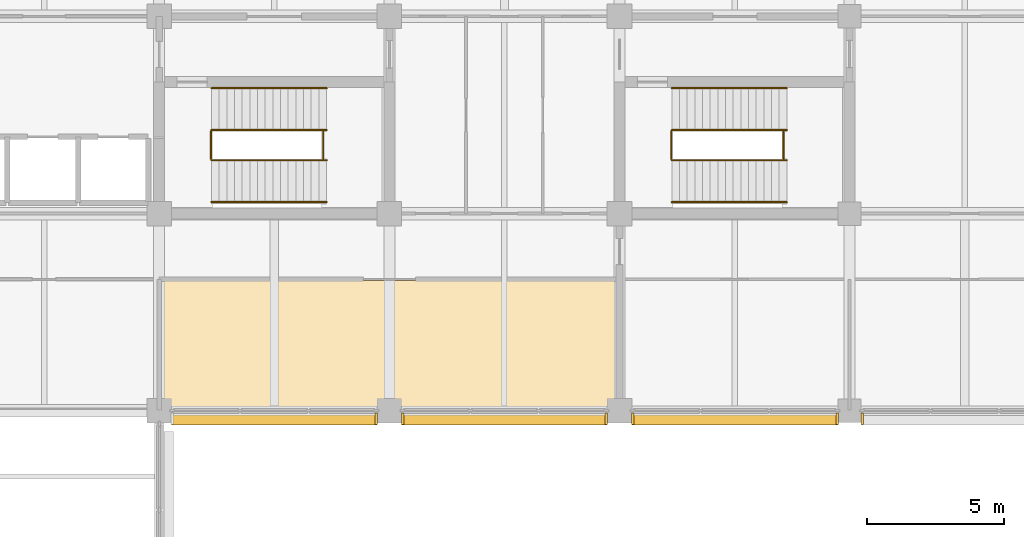
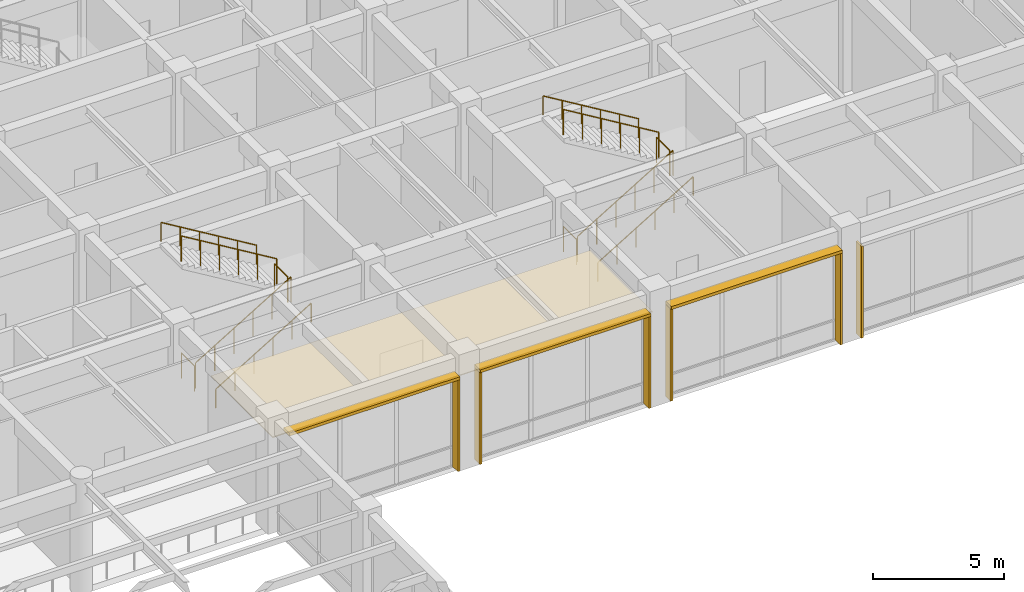
# One storey, part 54 of 58: 12 railings, 9 shading devices, 1 covering.
"""IFC4 building model written with IfcOpenShell, lengths in metres."""

from ifc_helpers import new_model, si_unit, direction, frame, origin, origin_2d, place, context, subcontext, project, spatial, polyline, rectangle, circle, outline, extrude, material, layer, layer_set, type_object, element, save


model = new_model("IFC4")

# Units and contexts
model_context = context("Model", 3, precision=1e-05, world=origin(), true_north=direction((0.0, 1.0)))
body_context = subcontext(model_context, "Body", "Model", "MODEL_VIEW")
ifc_project = project(units=[si_unit("LENGTHUNIT", "METRE"), si_unit("AREAUNIT", "SQUARE_METRE"), si_unit("VOLUMEUNIT", "CUBIC_METRE"), si_unit("PLANEANGLEUNIT", "RADIAN"), si_unit("MASSUNIT", "GRAM", prefix="KILO")], contexts=[model_context])

# Site, building, storey
site_placement = place(None, origin())
site = spatial("IfcSite", under=ifc_project, at=site_placement, CompositionType="ELEMENT")
building_placement = place(site_placement, origin())
building = spatial("IfcBuilding", under=site, at=building_placement, Name="Chengyuan Square Courthouse", CompositionType="ELEMENT")
storey_placement = place(building_placement, frame((0.0, 0.0, 16.199951171875)))
storey = spatial("IfcBuildingStorey", under=building, at=storey_placement, Name="L04", CompositionType="ELEMENT", Elevation=16.199951171875)

# Covering
ifc_material_1 = material(Name="Perforated Larch Glulam Acoustic Slat Ceiling", Category="wood")
ifc_layer = layer(ifc_material_1, 0.044921875)
ifc_layer_set = layer_set([ifc_layer], Name="Perforated Larch Glulam Acoustic Slat Ceiling")
covering_type = type_object("IfcCoveringType", Name="CLG-01", PredefinedType="CEILING", material=ifc_layer_set)
covering_placement = place(storey_placement, frame((0.0, 0.0, 4.02001953125)))
element("IfcCovering", 1, at=covering_placement, inside=storey, type_object=covering_type, Name="Acoustic Timber Slat Ceiling CLG-L04-CRT-406", PredefinedType="CEILING", context=body_context, shape_type="SweptSolid", body=[
    extrude(outline(polyline([(100.85009765625, 79.25), (117.550048828125, 79.25), (117.550048828125, 83.949951171875), (100.85009765625, 83.949951171875), (100.85009765625, 79.25)])), origin(), (0.0, 0.0, 1.0), 0.044921875),
])

# Railings
ifc_material_2 = material(Name="Tempered Glass and Timber Top-Rail Balustrade", Category="wood")
railing_type_1 = type_object("IfcRailingType", Name="RL-02", PredefinedType="BALUSTRADE", material=ifc_material_2)
for number, where, name in (
    (2, (102.68994140625, 88.39990234375, 0.0), "Stair Floor Slot Guard ST-4 L04"),
    (3, (106.7900390625, 88.39990234375, 2.699951171875), "Stair Landing Guard ST-4-L04"),
):
    element("IfcRailing", number, at=place(storey_placement, frame(where)), inside=storey, type_object=railing_type_1, Name=name, PredefinedType="BALUSTRADE", context=body_context, shape_type="SweptSolid", body=[
        extrude(circle(Radius=0.02392578125, at=origin_2d()), frame((0.0, 0.0, 1.17578125), z_axis=(0.0, 1.0, 0.0), x_axis=(-1.0, 0.0, 0.0)), (0.0, 0.0, 1.0), 1.0),
        extrude(circle(Radius=0.02099609375, at=origin_2d()), origin(), (0.0, 0.0, 1.0), 1.15185546875),
        extrude(circle(Radius=0.02099609375, at=origin_2d()), frame((0.0, 1.0, 0.0)), (0.0, 0.0, 1.0), 1.15185546875),
    ])
railing_1_placement = place(storey_placement, frame((102.7099609375, 88.35009765625, 0.168701171875)))
element("IfcRailing", 4, at=railing_1_placement, inside=storey, type_object=railing_type_1, Name="Stair Flight 1 Guard ST-4-L04", PredefinedType="BALUSTRADE", context=body_context, shape_type="SweptSolid", body=[
    extrude(circle(Radius=0.02392578125, at=origin_2d()), frame((0.0, 0.0, 1.17578125), z_axis=(0.856476492594, 0.0, 0.516186030065), x_axis=(0.0, 1.0, 0.0)), (0.0, 0.0, 1.0), 4.90380859375),
    extrude(circle(Radius=0.02099609375, at=origin_2d()), origin(), (0.0, 0.0, 1.0), 1.15185546875),
    extrude(circle(Radius=0.02099609375, at=origin_2d()), frame((0.840087890625, 0.0, 0.50634765625)), (0.0, 0.0, 1.0), 1.15185546875),
    extrude(circle(Radius=0.02099609375, at=origin_2d()), frame((1.679931640625, 0.0, 1.012451171875)), (0.0, 0.0, 1.0), 1.15185546875),
    extrude(circle(Radius=0.02099609375, at=origin_2d()), frame((2.52001953125, 0.0, 1.518798828125)), (0.0, 0.0, 1.0), 1.15185546875),
    extrude(circle(Radius=0.02099609375, at=origin_2d()), frame((3.35986328125, 0.0, 2.02490234375)), (0.0, 0.0, 1.0), 1.15185546875),
    extrude(circle(Radius=0.02099609375, at=origin_2d()), frame((4.199951171875, 0.0, 2.53125)), (0.0, 0.0, 1.0), 1.15185546875),
])
railing_2_placement = place(storey_placement, frame((106.909912109375, 89.449951171875, 2.86865234375)))
element("IfcRailing", 5, at=railing_2_placement, inside=storey, type_object=railing_type_1, Name="Stair Flight 2 Guard ST-4-L04", PredefinedType="BALUSTRADE", context=body_context, shape_type="SweptSolid", body=[
    extrude(circle(Radius=0.02392578125, at=origin_2d()), frame((0.0, 0.0, 1.17578125), z_axis=(-0.856454481726, 0.0, 0.516222549615), x_axis=(0.0, -1.0, 0.0)), (0.0, 0.0, 1.0), 4.90380859375),
    extrude(circle(Radius=0.02099609375, at=origin_2d()), origin(), (0.0, 0.0, 1.0), 1.15185546875),
    extrude(circle(Radius=0.02099609375, at=origin_2d()), frame((-0.840087890625, 0.0, 0.50634765625)), (0.0, 0.0, 1.0), 1.15185546875),
    extrude(circle(Radius=0.02099609375, at=origin_2d()), frame((-1.679931640625, 0.0, 1.0126953125)), (0.0, 0.0, 1.0), 1.15185546875),
    extrude(circle(Radius=0.02099609375, at=origin_2d()), frame((-2.52001953125, 0.0, 1.518798828125)), (0.0, 0.0, 1.0), 1.15185546875),
    extrude(circle(Radius=0.02099609375, at=origin_2d()), frame((-3.35986328125, 0.0, 2.025146484375)), (0.0, 0.0, 1.0), 1.15185546875),
    extrude(circle(Radius=0.02099609375, at=origin_2d()), frame((-4.199951171875, 0.0, 2.531494140625)), (0.0, 0.0, 1.0), 1.15185546875),
])
for number, where, name in (
    (6, (119.489990234375, 88.39990234375, 0.0), "Stair Floor Slot Guard ST-6 L04"),
    (7, (123.590087890625, 88.39990234375, 2.699951171875), "Stair Landing Guard ST-6-L04"),
):
    element("IfcRailing", number, at=place(storey_placement, frame(where)), inside=storey, type_object=railing_type_1, Name=name, PredefinedType="BALUSTRADE", context=body_context, shape_type="SweptSolid", body=[
        extrude(circle(Radius=0.02392578125, at=origin_2d()), frame((0.0, 0.0, 1.17578125), z_axis=(0.0, 1.0, 0.0), x_axis=(-1.0, 0.0, 0.0)), (0.0, 0.0, 1.0), 1.0),
        extrude(circle(Radius=0.02099609375, at=origin_2d()), origin(), (0.0, 0.0, 1.0), 1.15185546875),
        extrude(circle(Radius=0.02099609375, at=origin_2d()), frame((0.0, 1.0, 0.0)), (0.0, 0.0, 1.0), 1.15185546875),
    ])
railing_3_placement = place(storey_placement, frame((119.510009765625, 88.35009765625, 0.168701171875)))
element("IfcRailing", 8, at=railing_3_placement, inside=storey, type_object=railing_type_1, Name="Stair Flight 1 Guard ST-6-L04", PredefinedType="BALUSTRADE", context=body_context, shape_type="SweptSolid", body=[
    extrude(circle(Radius=0.02392578125, at=origin_2d()), frame((0.0, 0.0, 1.17578125), z_axis=(0.856476492594, 0.0, 0.516186030065), x_axis=(0.0, 1.0, 0.0)), (0.0, 0.0, 1.0), 4.90380859375),
    extrude(circle(Radius=0.02099609375, at=origin_2d()), origin(), (0.0, 0.0, 1.0), 1.15185546875),
    extrude(circle(Radius=0.02099609375, at=origin_2d()), frame((0.840087890625, 0.0, 0.50634765625)), (0.0, 0.0, 1.0), 1.15185546875),
    extrude(circle(Radius=0.02099609375, at=origin_2d()), frame((1.679931640625, 0.0, 1.012451171875)), (0.0, 0.0, 1.0), 1.15185546875),
    extrude(circle(Radius=0.02099609375, at=origin_2d()), frame((2.52001953125, 0.0, 1.518798828125)), (0.0, 0.0, 1.0), 1.15185546875),
    extrude(circle(Radius=0.02099609375, at=origin_2d()), frame((3.35986328125, 0.0, 2.02490234375)), (0.0, 0.0, 1.0), 1.15185546875),
    extrude(circle(Radius=0.02099609375, at=origin_2d()), frame((4.199951171875, 0.0, 2.53125)), (0.0, 0.0, 1.0), 1.15185546875),
])
railing_4_placement = place(storey_placement, frame((123.7099609375, 89.449951171875, 2.86865234375)))
element("IfcRailing", 9, at=railing_4_placement, inside=storey, type_object=railing_type_1, Name="Stair Flight 2 Guard ST-6-L04", PredefinedType="BALUSTRADE", context=body_context, shape_type="SweptSolid", body=[
    extrude(circle(Radius=0.02392578125, at=origin_2d()), frame((0.0, 0.0, 1.17578125), z_axis=(-0.856454481726, 0.0, 0.516222549615), x_axis=(0.0, -1.0, 0.0)), (0.0, 0.0, 1.0), 4.90380859375),
    extrude(circle(Radius=0.02099609375, at=origin_2d()), origin(), (0.0, 0.0, 1.0), 1.15185546875),
    extrude(circle(Radius=0.02099609375, at=origin_2d()), frame((-0.840087890625, 0.0, 0.50634765625)), (0.0, 0.0, 1.0), 1.15185546875),
    extrude(circle(Radius=0.02099609375, at=origin_2d()), frame((-1.679931640625, 0.0, 1.0126953125)), (0.0, 0.0, 1.0), 1.15185546875),
    extrude(circle(Radius=0.02099609375, at=origin_2d()), frame((-2.52001953125, 0.0, 1.518798828125)), (0.0, 0.0, 1.0), 1.15185546875),
    extrude(circle(Radius=0.02099609375, at=origin_2d()), frame((-3.35986328125, 0.0, 2.025146484375)), (0.0, 0.0, 1.0), 1.15185546875),
    extrude(circle(Radius=0.02099609375, at=origin_2d()), frame((-4.199951171875, 0.0, 2.531494140625)), (0.0, 0.0, 1.0), 1.15185546875),
])
ifc_material_3 = material(Name="Stainless Steel S30408 Stair Handrail", Category="steel")
railing_type_2 = type_object("IfcRailingType", Name="RL-04", PredefinedType="HANDRAIL", material=ifc_material_3)
railing_5_placement = place(storey_placement, frame((102.7099609375, 86.820068359375, 0.168701171875)))
element("IfcRailing", 10, at=railing_5_placement, inside=storey, type_object=railing_type_2, Name="Stair Flight 1 Handrail ST-4-L04", PredefinedType="HANDRAIL", context=body_context, shape_type="SweptSolid", body=[
    extrude(circle(Radius=0.02392578125, at=origin_2d()), frame((0.0, 0.0, 0.8759765625), z_axis=(0.856476492594, 0.0, 0.516186030065), x_axis=(0.0, 1.0, 0.0)), (0.0, 0.0, 1.0), 4.90380859375),
    extrude(circle(Radius=0.02099609375, at=origin_2d()), origin(), (0.0, 0.0, 1.0), 0.851806640625),
    extrude(circle(Radius=0.02099609375, at=origin_2d()), frame((0.840087890625, 0.0, 0.50634765625)), (0.0, 0.0, 1.0), 0.851806640625),
    extrude(circle(Radius=0.02099609375, at=origin_2d()), frame((1.679931640625, 0.0, 1.012451171875)), (0.0, 0.0, 1.0), 0.851806640625),
    extrude(circle(Radius=0.02099609375, at=origin_2d()), frame((2.52001953125, 0.0, 1.518798828125)), (0.0, 0.0, 1.0), 0.851806640625),
    extrude(circle(Radius=0.02099609375, at=origin_2d()), frame((3.35986328125, 0.0, 2.02490234375)), (0.0, 0.0, 1.0), 0.851806640625),
    extrude(circle(Radius=0.02099609375, at=origin_2d()), frame((4.199951171875, 0.0, 2.53125)), (0.0, 0.0, 1.0), 0.851806640625),
])
railing_6_placement = place(storey_placement, frame((106.909912109375, 90.97998046875, 2.86865234375)))
element("IfcRailing", 11, at=railing_6_placement, inside=storey, type_object=railing_type_2, Name="Stair Flight 2 Handrail ST-4-L04", PredefinedType="HANDRAIL", context=body_context, shape_type="SweptSolid", body=[
    extrude(circle(Radius=0.02392578125, at=origin_2d()), frame((0.0, 0.0, 0.8759765625), z_axis=(-0.856454481726, 0.0, 0.516222549615), x_axis=(0.0, -1.0, 0.0)), (0.0, 0.0, 1.0), 4.90380859375),
    extrude(circle(Radius=0.02099609375, at=origin_2d()), origin(), (0.0, 0.0, 1.0), 0.851806640625),
    extrude(circle(Radius=0.02099609375, at=origin_2d()), frame((-0.840087890625, 0.0, 0.50634765625)), (0.0, 0.0, 1.0), 0.851806640625),
    extrude(circle(Radius=0.02099609375, at=origin_2d()), frame((-1.679931640625, 0.0, 1.0126953125)), (0.0, 0.0, 1.0), 0.851806640625),
    extrude(circle(Radius=0.02099609375, at=origin_2d()), frame((-2.52001953125, 0.0, 1.518798828125)), (0.0, 0.0, 1.0), 0.851806640625),
    extrude(circle(Radius=0.02099609375, at=origin_2d()), frame((-3.35986328125, 0.0, 2.025146484375)), (0.0, 0.0, 1.0), 0.851806640625),
    extrude(circle(Radius=0.02099609375, at=origin_2d()), frame((-4.199951171875, 0.0, 2.531494140625)), (0.0, 0.0, 1.0), 0.851806640625),
])
railing_7_placement = place(storey_placement, frame((119.510009765625, 86.820068359375, 0.168701171875)))
element("IfcRailing", 12, at=railing_7_placement, inside=storey, type_object=railing_type_2, Name="Stair Flight 1 Handrail ST-6-L04", PredefinedType="HANDRAIL", context=body_context, shape_type="SweptSolid", body=[
    extrude(circle(Radius=0.02392578125, at=origin_2d()), frame((0.0, 0.0, 0.8759765625), z_axis=(0.856476492594, 0.0, 0.516186030065), x_axis=(0.0, 1.0, 0.0)), (0.0, 0.0, 1.0), 4.90380859375),
    extrude(circle(Radius=0.02099609375, at=origin_2d()), origin(), (0.0, 0.0, 1.0), 0.851806640625),
    extrude(circle(Radius=0.02099609375, at=origin_2d()), frame((0.840087890625, 0.0, 0.50634765625)), (0.0, 0.0, 1.0), 0.851806640625),
    extrude(circle(Radius=0.02099609375, at=origin_2d()), frame((1.679931640625, 0.0, 1.012451171875)), (0.0, 0.0, 1.0), 0.851806640625),
    extrude(circle(Radius=0.02099609375, at=origin_2d()), frame((2.52001953125, 0.0, 1.518798828125)), (0.0, 0.0, 1.0), 0.851806640625),
    extrude(circle(Radius=0.02099609375, at=origin_2d()), frame((3.35986328125, 0.0, 2.02490234375)), (0.0, 0.0, 1.0), 0.851806640625),
    extrude(circle(Radius=0.02099609375, at=origin_2d()), frame((4.199951171875, 0.0, 2.53125)), (0.0, 0.0, 1.0), 0.851806640625),
])
railing_8_placement = place(storey_placement, frame((123.7099609375, 90.97998046875, 2.86865234375)))
element("IfcRailing", 13, at=railing_8_placement, inside=storey, type_object=railing_type_2, Name="Stair Flight 2 Handrail ST-6-L04", PredefinedType="HANDRAIL", context=body_context, shape_type="SweptSolid", body=[
    extrude(circle(Radius=0.02392578125, at=origin_2d()), frame((0.0, 0.0, 0.8759765625), z_axis=(-0.856454481726, 0.0, 0.516222549615), x_axis=(0.0, -1.0, 0.0)), (0.0, 0.0, 1.0), 4.90380859375),
    extrude(circle(Radius=0.02099609375, at=origin_2d()), origin(), (0.0, 0.0, 1.0), 0.851806640625),
    extrude(circle(Radius=0.02099609375, at=origin_2d()), frame((-0.840087890625, 0.0, 0.50634765625)), (0.0, 0.0, 1.0), 0.851806640625),
    extrude(circle(Radius=0.02099609375, at=origin_2d()), frame((-1.679931640625, 0.0, 1.0126953125)), (0.0, 0.0, 1.0), 0.851806640625),
    extrude(circle(Radius=0.02099609375, at=origin_2d()), frame((-2.52001953125, 0.0, 1.518798828125)), (0.0, 0.0, 1.0), 0.851806640625),
    extrude(circle(Radius=0.02099609375, at=origin_2d()), frame((-3.35986328125, 0.0, 2.025146484375)), (0.0, 0.0, 1.0), 0.851806640625),
    extrude(circle(Radius=0.02099609375, at=origin_2d()), frame((-4.199951171875, 0.0, 2.531494140625)), (0.0, 0.0, 1.0), 0.851806640625),
])

# Shading devices
ifc_material_4 = material(Name="Glulam TCt28 Solar Shading Fin", Category="wood")
shading_device_type_1 = type_object("IfcShadingDeviceType", Name="SHD-01", PredefinedType="JALOUSIE", material=ifc_material_4)
for number, where, z_axis, x_axis, name in (
    (14, (108.717529296875, 78.907958984375, 0.0400390625), (0.0, 0.0, 1.0), (0.0, 1.0, 0.0), "Glulam Solar Fin SHD-L04-0477"),
    (15, (109.6826171875, 78.907958984375, 0.0400390625), (0.0, 0.0, 1.0), (0.0, 1.0, 0.0), "Glulam Solar Fin SHD-L04-0479"),
    (16, (117.117431640625, 78.907958984375, 0.0400390625), (0.0, 0.0, 1.0), (0.0, 1.0, 0.0), "Glulam Solar Fin SHD-L04-0480"),
    (17, (118.08251953125, 78.907958984375, 0.0400390625), (0.0, 0.0, 1.0), (0.0, 1.0, 0.0), "Glulam Solar Fin SHD-L04-0483"),
    (18, (125.54248046875, 78.907958984375, 0.0400390625), (0.0, 0.0, 1.0), (0.0, 1.0, 0.0), "Glulam Solar Fin SHD-L04-0484"),
    (19, (126.45751953125, 78.907958984375, 0.0400390625), (0.0, 0.0, 1.0), (0.0, 1.0, 0.0), "Glulam Solar Fin SHD-L04-0486"),
):
    element("IfcShadingDevice", number, at=place(storey_placement, frame(where, z_axis=z_axis, x_axis=x_axis)), inside=storey, type_object=shading_device_type_1, Name=name, PredefinedType="JALOUSIE", context=body_context, shape_type="SweptSolid", body=[
        extrude(rectangle(XDim=0.419921875, YDim=0.094970703125, at=origin_2d()), origin(), (0.0, 0.0, 1.0), 4.260009765625),
    ])
ifc_material_5 = material(Name="Glulam TCt28 Sunshade Louvre", Category="wood")
shading_device_type_2 = type_object("IfcShadingDeviceType", Name="SHD-02", PredefinedType="AWNING", material=ifc_material_5)
for number, where, z_axis, x_axis, name in (
    (20, (105.0, 78.907958984375, 4.30029296875), (0.0, 0.0, 1.0), (1.0, 0.0, 0.0), "Glulam Sunshade Louvre SHD-L04-0478"),
    (21, (113.39990234375, 78.907958984375, 4.30029296875), (0.0, 0.0, 1.0), (1.0, 0.0, 0.0), "Glulam Sunshade Louvre SHD-L04-0481"),
):
    element("IfcShadingDevice", number, at=place(storey_placement, frame(where, z_axis=z_axis, x_axis=x_axis)), inside=storey, type_object=shading_device_type_2, Name=name, PredefinedType="AWNING", context=body_context, shape_type="SweptSolid", body=[
        extrude(rectangle(XDim=7.5, YDim=0.43994140625, at=origin_2d()), origin(), (0.0, 0.0, 1.0), 0.139892578125),
    ])
shading_device_placement = place(storey_placement, frame((121.8125, 78.907958984375, 4.30029296875), z_axis=(0.0, 0.0, 1.0), x_axis=(1.0, 0.0, 0.0)))
element("IfcShadingDevice", 22, at=shading_device_placement, inside=storey, type_object=shading_device_type_2, Name="Glulam Sunshade Louvre SHD-L04-0485", PredefinedType="AWNING", context=body_context, shape_type="SweptSolid", body=[
    extrude(rectangle(XDim=7.52490234375, YDim=0.43994140625, at=origin_2d()), origin(), (0.0, 0.0, 1.0), 0.139892578125),
])

save(model, "model.ifc")
